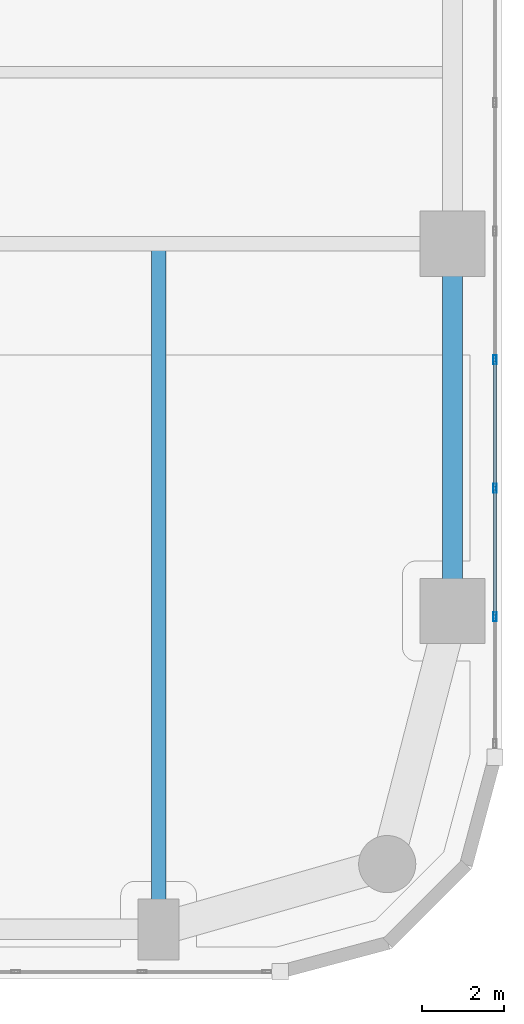
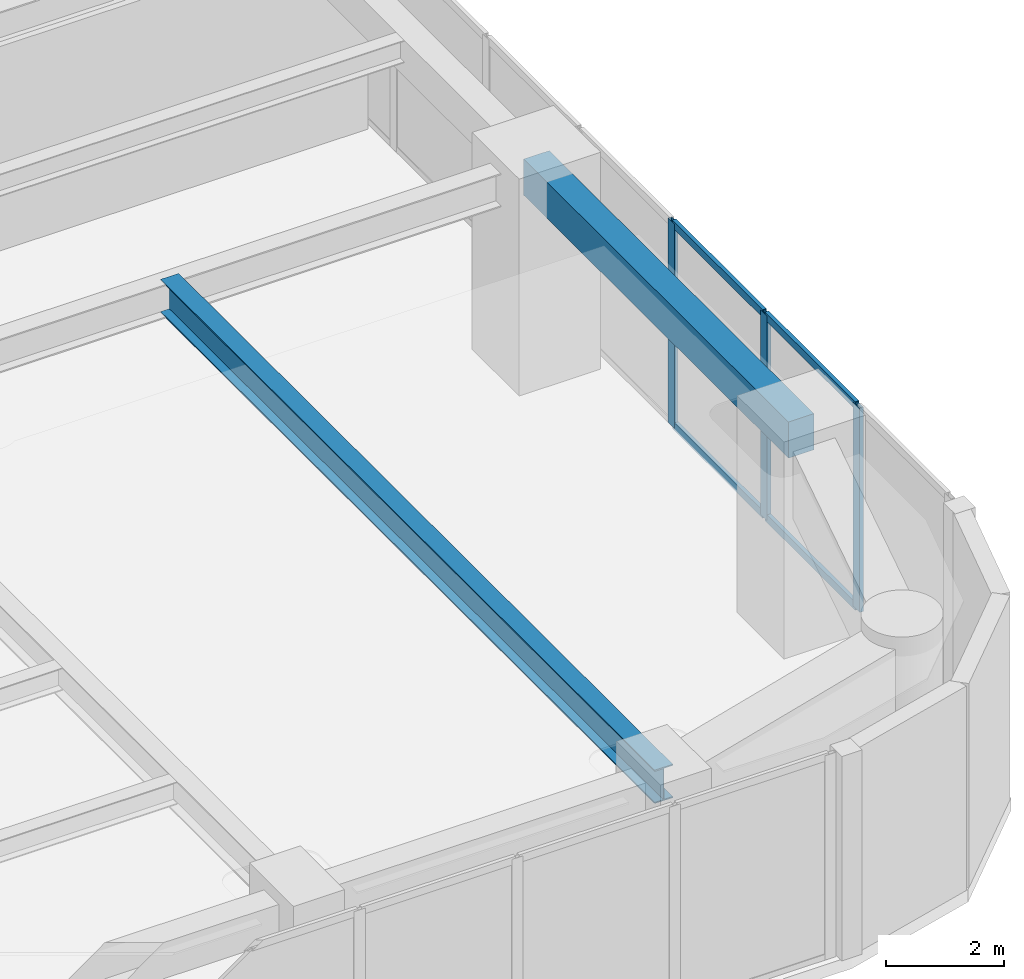
# One storey, part 7 of 25: 7 members, 2 beams, 1 element without a shape of its own.
"""IFC4 building model written with IfcOpenShell, lengths in metres."""

from ifc_helpers import new_model, si_unit, direction, frame, origin, origin_2d, place, context, subcontext, project, spatial, rectangle, hollow_rectangle, i_section, extrude, material, layer, layer_set, material_profile, profile_set, type_object, element, aggregate, save


model = new_model("IFC4")

# Units and contexts
model_context = context("Model", 3, precision=1e-05, world=origin(), true_north=direction((0.0, 1.0)))
body_context = subcontext(model_context, "Body", "Model", "MODEL_VIEW")
ifc_project = project(units=[si_unit("LENGTHUNIT", "METRE"), si_unit("AREAUNIT", "SQUARE_METRE"), si_unit("VOLUMEUNIT", "CUBIC_METRE"), si_unit("PLANEANGLEUNIT", "RADIAN"), si_unit("MASSUNIT", "GRAM", prefix="KILO")], contexts=[model_context])

# Site, building, storey
site_placement = place(None, origin())
site = spatial("IfcSite", under=ifc_project, at=site_placement, CompositionType="ELEMENT")
building_placement = place(site_placement, origin())
building = spatial("IfcBuilding", under=site, at=building_placement, Name="Kiyonajd Concourse Tower", CompositionType="ELEMENT")
storey_placement = place(building_placement, frame((0.0, 0.0, 68.39990234375)))
storey = spatial("IfcBuildingStorey", under=building, at=storey_placement, Name="L18", CompositionType="ELEMENT", Elevation=68.39990234375)

# Beams
ifc_material_1 = material(Name="Precast concrete C50/60", Category="concrete")
ifc_material_profile_1 = material_profile(ifc_material_1, rectangle(XDim=0.5, YDim=0.75, at=origin_2d()), Name="RCBM-500x750")
ifc_profile_set_1 = profile_set([ifc_material_profile_1], Name="Precast concrete C50/60")
beam_type_1 = type_object("IfcBeamType", Name="BM-SPAN-RC", PredefinedType="SPANDREL", material=ifc_profile_set_1)
beam_1_placement = place(storey_placement, frame((78.0, 18.60009765625, 3.864990234375), z_axis=(0.0, 1.0, 0.0), x_axis=(-1.0, 0.0, 0.0)))
element("IfcBeam", 1, at=beam_1_placement, inside=storey, type_object=beam_type_1, Name="L18 Perimeter Bundled Tube Spandrel", PredefinedType="SPANDREL", context=body_context, shape_type="SweptSolid", body=[
    extrude(rectangle(XDim=0.5, YDim=0.75, at=origin_2d()), origin(), (0.0, 0.0, 1.0), 9.0),
])
ifc_material_2 = material(Name="Steel ASTM A992 Grade 50", Category="steel")
ifc_material_profile_2 = material_profile(ifc_material_2, i_section(OverallWidth=0.35498046875, OverallDepth=0.695068359375, WebThickness=0.015380859375, FlangeThickness=0.02490234375, at=origin_2d()), Name="W690X217")
ifc_profile_set_2 = profile_set([ifc_material_profile_2], Name="Steel ASTM A992 Grade 50")
beam_type_2 = type_object("IfcBeamType", Name="BM-TWR-690", PredefinedType="BEAM", material=ifc_profile_set_2)
beam_2_placement = place(storey_placement, frame((70.800048828125, 10.800048828125, 3.892578125), z_axis=(0.0, 1.0, 0.0), x_axis=(-1.0, 0.0, 0.0)))
element("IfcBeam", 2, at=beam_2_placement, inside=storey, type_object=beam_type_2, Name="L18 South Lease Girder", PredefinedType="BEAM", context=body_context, shape_type="SweptSolid", body=[
    extrude(i_section(OverallWidth=0.35498046875, OverallDepth=0.695068359375, WebThickness=0.015380859375, FlangeThickness=0.02490234375, at=origin_2d()), origin(), (0.0, 0.0, 1.0), 16.800048828125),
])

# Curtain wall, members
ifc_material_3 = material(Name="Thermally Broken Anodised Aluminium", Category="aluminium")
ifc_layer = layer(ifc_material_3, 0.179931640625)
ifc_layer_set = layer_set([ifc_layer], Name="Thermally Broken Anodised Aluminium")
curtain_wall_type = type_object("IfcCurtainWallType", Name="CW-SYS-05", PredefinedType="NOTDEFINED", material=ifc_layer_set)
curtain_wall_placement = place(storey_placement, origin())
curtain_wall = element("IfcCurtainWall", 3, at=curtain_wall_placement, inside=storey, type_object=curtain_wall_type, Name="L18 Unitised Curtain Wall CW5", PredefinedType="NOTDEFINED")
ifc_material_profile_3 = material_profile(ifc_material_3, hollow_rectangle(XDim=0.074951171875, YDim=0.219970703125, WallThickness=0.0048828125, at=origin_2d()), Name="MULL-75x220")
ifc_profile_set_3 = profile_set([ifc_material_profile_3], Name="Thermally Broken Anodised Aluminium")
member_type_1 = type_object("IfcMemberType", Name="MB-CW-MULL2", PredefinedType="MULLION", material=ifc_profile_set_3)
member_1_placement = place(storey_placement, frame((79.0400390625, 24.75634765625, 0.0), z_axis=(0.0, 0.0, 1.0), x_axis=(1.0, 0.0, 0.0)))
member_1 = element("IfcMember", 4, at=member_1_placement, type_object=member_type_1, Name="CW5 mullion 5", PredefinedType="MULLION", context=body_context, shape_type="SweptSolid", body=[
    extrude(hollow_rectangle(XDim=0.074951171875, YDim=0.219970703125, WallThickness=0.0048828125, at=origin_2d()), origin(), (0.0, 0.0, 1.0), 4.239990234375),
])
member_2_placement = place(storey_placement, frame((79.0400390625, 21.60791015625, 0.0), z_axis=(0.0, 0.0, 1.0), x_axis=(1.0, 0.0, 0.0)))
member_2 = element("IfcMember", 5, at=member_2_placement, type_object=member_type_1, Name="CW5 mullion 6", PredefinedType="MULLION", context=body_context, shape_type="SweptSolid", body=[
    extrude(hollow_rectangle(XDim=0.074951171875, YDim=0.219970703125, WallThickness=0.0048828125, at=origin_2d()), origin(), (0.0, 0.0, 1.0), 4.239990234375),
])
member_3_placement = place(storey_placement, frame((79.0400390625, 18.45947265625, 0.0), z_axis=(0.0, 0.0, 1.0), x_axis=(1.0, 0.0, 0.0)))
member_3 = element("IfcMember", 6, at=member_3_placement, type_object=member_type_1, Name="CW5 mullion 7", PredefinedType="MULLION", context=body_context, shape_type="SweptSolid", body=[
    extrude(hollow_rectangle(XDim=0.074951171875, YDim=0.219970703125, WallThickness=0.0048828125, at=origin_2d()), origin(), (0.0, 0.0, 1.0), 4.239990234375),
])
ifc_material_profile_4 = material_profile(ifc_material_3, hollow_rectangle(XDim=0.074951171875, YDim=0.159912109375, WallThickness=0.0048828125, at=origin_2d()), Name="TRAN-75x160")
ifc_profile_set_4 = profile_set([ifc_material_profile_4], Name="Thermally Broken Anodised Aluminium")
member_type_2 = type_object("IfcMemberType", Name="MB-CW-TRAN2", PredefinedType="USERDEFINED", material=ifc_profile_set_4)
member_4_placement = place(storey_placement, frame((79.0400390625, 24.71875, 0.03759765625), z_axis=(0.0, -1.0, 0.0), x_axis=(1.0, 0.0, 0.0)))
member_4 = element("IfcMember", 7, at=member_4_placement, type_object=member_type_2, Name="CW5 transom 5.1", ObjectType="TRANSOM", PredefinedType="USERDEFINED", context=body_context, shape_type="SweptSolid", body=[
    extrude(hollow_rectangle(XDim=0.074951171875, YDim=0.159912109375, WallThickness=0.0048828125, at=origin_2d()), origin(), (0.0, 0.0, 1.0), 3.0732421875),
])
member_5_placement = place(storey_placement, frame((79.0400390625, 24.71875, 4.20263671875), z_axis=(0.0, -1.0, 0.0), x_axis=(1.0, 0.0, 0.0)))
member_5 = element("IfcMember", 8, at=member_5_placement, type_object=member_type_2, Name="CW5 transom 5.2", ObjectType="TRANSOM", PredefinedType="USERDEFINED", context=body_context, shape_type="SweptSolid", body=[
    extrude(hollow_rectangle(XDim=0.074951171875, YDim=0.159912109375, WallThickness=0.0048828125, at=origin_2d()), origin(), (0.0, 0.0, 1.0), 3.0732421875),
])
member_6_placement = place(storey_placement, frame((79.0400390625, 21.5703125, 0.03759765625), z_axis=(0.0, -1.0, 0.0), x_axis=(1.0, 0.0, 0.0)))
member_6 = element("IfcMember", 9, at=member_6_placement, type_object=member_type_2, Name="CW5 transom 6.1", ObjectType="TRANSOM", PredefinedType="USERDEFINED", context=body_context, shape_type="SweptSolid", body=[
    extrude(hollow_rectangle(XDim=0.074951171875, YDim=0.159912109375, WallThickness=0.0048828125, at=origin_2d()), origin(), (0.0, 0.0, 1.0), 3.0732421875),
])
member_7_placement = place(storey_placement, frame((79.0400390625, 21.5703125, 4.20263671875), z_axis=(0.0, -1.0, 0.0), x_axis=(1.0, 0.0, 0.0)))
member_7 = element("IfcMember", 10, at=member_7_placement, type_object=member_type_2, Name="CW5 transom 6.2", ObjectType="TRANSOM", PredefinedType="USERDEFINED", context=body_context, shape_type="SweptSolid", body=[
    extrude(hollow_rectangle(XDim=0.074951171875, YDim=0.159912109375, WallThickness=0.0048828125, at=origin_2d()), origin(), (0.0, 0.0, 1.0), 3.0732421875),
])
aggregate(curtain_wall, [member_1, member_2, member_3, member_4, member_5, member_6, member_7])

save(model, "model.ifc")
